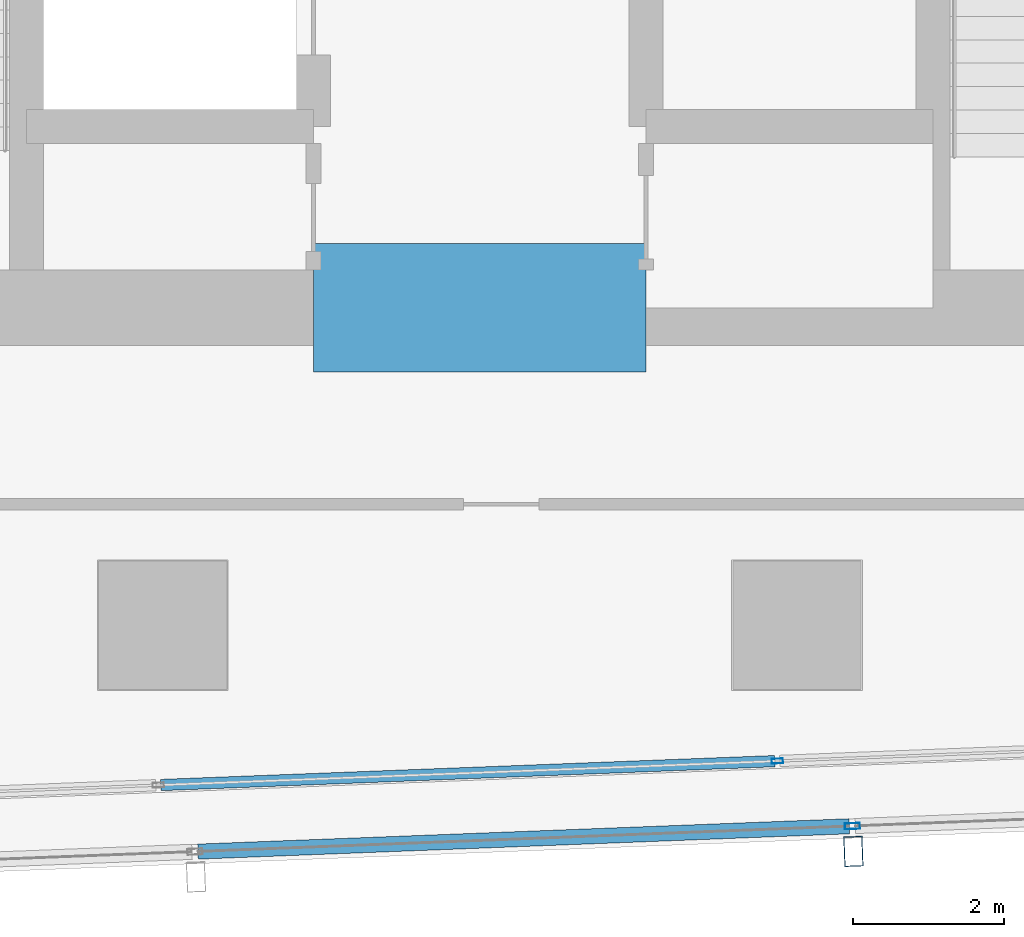
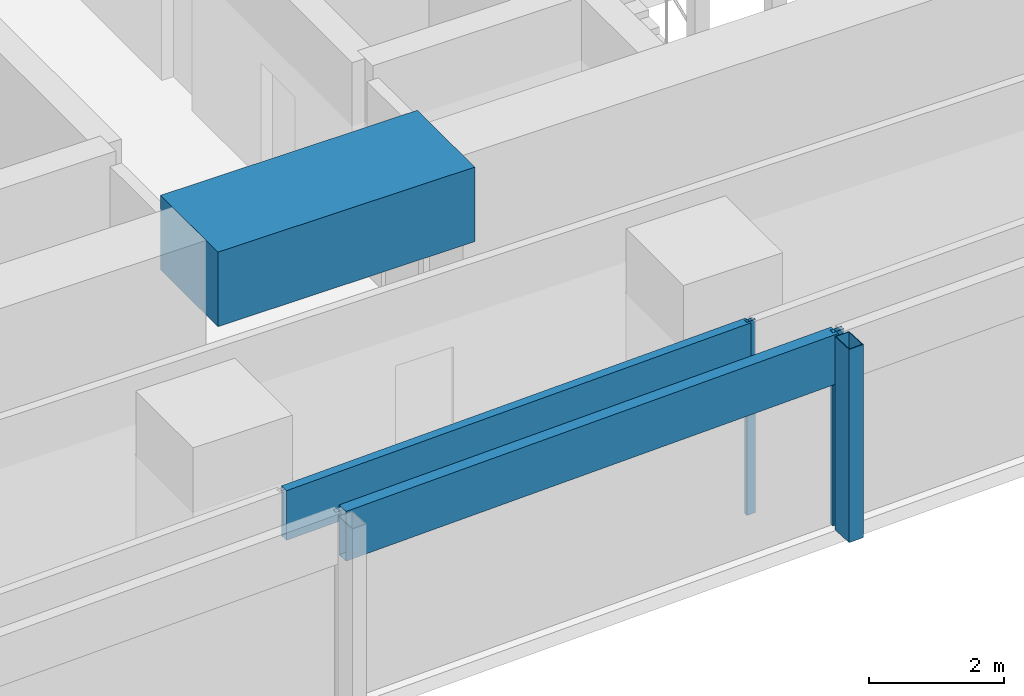
# One storey, part 9 of 40: 5 members, 1 beam, 2 elements without a shape of their own.
"""IFC4 building model written with IfcOpenShell, lengths in metres."""

import ifcopenshell
import ifcopenshell.guid

model = None  # the IFC model being written
_history = None  # IfcOwnerHistory: only IFC2X3 demands one
_inside = {}  # id of a spatial element -> (the spatial element, [elements in it])
_under = {}  # id of a project, library or spatial element -> (it, [spatial elements below it])
_declared = {}  # id of a project -> (the project, [libraries it declares])
_typed = {}  # id of a type object -> (the type object, [elements of that type])
_made_of = {}  # id of a material, layer set ... -> (it, [elements and type objects made of it])


def new_model(schema):
    """Start an empty IFC model of exactly this schema.

    Asked for "IFC4X3", IfcOpenShell would pick the latest addendum, in which some entities
    have other attributes; the version numbers below select the first issue.
    IFC2X3 requires an IfcOwnerHistory on every rooted entity: one is made here for all.
    """
    global model, _history
    if schema == "IFC4X3":
        model = ifcopenshell.file(schema_version=(4, 3, 0, 0))
    else:
        model = ifcopenshell.file(schema=schema)
    _inside.clear()
    _under.clear()
    _declared.clear()
    _typed.clear()
    _made_of.clear()
    _history = None
    if model.schema == "IFC2X3":
        org = make("IfcOrganization", Name="unknown")
        user = make(
            "IfcPersonAndOrganization",
            ThePerson=make("IfcPerson", FamilyName="unknown"),
            TheOrganization=org,
        )
        app = make(
            "IfcApplication",
            ApplicationDeveloper=org,
            Version="unknown",
            ApplicationFullName="unknown",
            ApplicationIdentifier="unknown",
        )
        _history = make(
            "IfcOwnerHistory",
            OwningUser=user,
            OwningApplication=app,
            ChangeAction="ADDED",
            CreationDate=0,
        )
    return model


def make(cls, **values):
    """One entity of the class cls with the attributes given. An attribute that is None is left unset."""
    return model.create_entity(
        cls, **{name: value for name, value in values.items() if value is not None}
    )


def rooted(cls, **values):
    """An entity with a GlobalId (a new one), such as an element, a storey or a relation."""
    return make(cls, GlobalId=ifcopenshell.guid.new(), OwnerHistory=_history, **values)


def si_unit(unit_type, name, prefix=None):
    """IfcSIUnit, for example si_unit("LENGTHUNIT", "METRE", prefix="MILLI")."""
    return make("IfcSIUnit", UnitType=unit_type, Prefix=prefix, Name=name)


def assignment(units):
    """IfcUnitAssignment: the units of a project."""
    return None if units is None else make("IfcUnitAssignment", Units=units)


def point(xyz):
    """IfcCartesianPoint."""
    return None if xyz is None else make("IfcCartesianPoint", Coordinates=xyz)


def direction(xyz):
    """IfcDirection."""
    return None if xyz is None else make("IfcDirection", DirectionRatios=xyz)


def frame(location, z_axis=None, x_axis=None):
    """IfcAxis2Placement3D, a coordinate frame: its origin and axes. An axis left out is left unset."""
    return make(
        "IfcAxis2Placement3D",
        Location=point(location),
        Axis=direction(z_axis),
        RefDirection=direction(x_axis),
    )


def frame_2d(location, x_axis=None):
    """IfcAxis2Placement2D, a coordinate frame in the plane: its origin and x axis."""
    return make(
        "IfcAxis2Placement2D", Location=point(location), RefDirection=direction(x_axis)
    )


def origin():
    """The frame at (0, 0, 0) with its axes left unset."""
    return frame((0.0, 0.0, 0.0))


def origin_2d():
    """The frame at (0, 0) in the plane with its x axis left unset."""
    return frame_2d((0.0, 0.0))


def place(relative_to, where):
    """IfcLocalPlacement: puts the frame where relative to a parent placement (None: the world)."""
    return make(
        "IfcLocalPlacement", PlacementRelTo=relative_to, RelativePlacement=where
    )


def context(
    kind, dimensions, precision=None, world=None, true_north=None, identifier=None
):
    """IfcGeometricRepresentationContext, for example the 3D "Model" context."""
    return make(
        "IfcGeometricRepresentationContext",
        ContextIdentifier=identifier,
        ContextType=kind,
        CoordinateSpaceDimension=dimensions,
        Precision=precision,
        WorldCoordinateSystem=world,
        TrueNorth=true_north,
    )


def subcontext(parent, identifier, kind, view, scale=None):
    """IfcGeometricRepresentationSubContext, for example "Body" below "Model"."""
    return make(
        "IfcGeometricRepresentationSubContext",
        ContextIdentifier=identifier,
        ContextType=kind,
        ParentContext=parent,
        TargetScale=scale,
        TargetView=view,
    )


def project(units=None, contexts=None):
    """IfcProject with its units and contexts."""
    return rooted(
        "IfcProject",
        Name="project",
        RepresentationContexts=contexts,
        UnitsInContext=assignment(units),
    )


def spatial(cls, under=None, at=None, **own):
    """A site, building, storey or space (cls), placed at a placement, below another one or the project."""
    s = rooted(cls, ObjectPlacement=at, **own)
    if under is not None:
        _under.setdefault(under.id(), (under, []))[1].append(s)
    return s


def profile(cls, at=None, kind="AREA", **sizes):
    """A parametric profile (cls). Its sizes go by their IFC names, for example OverallWidth=200.0."""
    return make(cls, ProfileType=kind, Position=at, **sizes)


def rectangle(**sizes):
    """IfcRectangleProfileDef."""
    return profile("IfcRectangleProfileDef", **sizes)


def hollow_rectangle(**sizes):
    """IfcRectangleHollowProfileDef."""
    return profile("IfcRectangleHollowProfileDef", **sizes)


def extrude(swept, where, along, depth):
    """IfcExtrudedAreaSolid: the profile swept, set in the frame where, extruded along a direction by depth."""
    return make(
        "IfcExtrudedAreaSolid",
        SweptArea=swept,
        Position=where,
        ExtrudedDirection=direction(along),
        Depth=depth,
    )


def shape(context_of_items, identifier, shape_type, items):
    """IfcShapeRepresentation: the items that make up one representation, for example the "Body"."""
    return make(
        "IfcShapeRepresentation",
        ContextOfItems=context_of_items,
        RepresentationIdentifier=identifier,
        RepresentationType=shape_type,
        Items=items,
    )


def material(Name=None, Category=None):
    """IfcMaterial."""
    return make("IfcMaterial", Name=Name, Category=Category)


def material_profile(
    of_material, cross_section, Name=None, Category=None, Priority=None
):
    """IfcMaterialProfile: a cross section and its material."""
    return make(
        "IfcMaterialProfile",
        Name=Name,
        Material=of_material,
        Profile=cross_section,
        Priority=Priority,
        Category=Category,
    )


def profile_set(profiles, Name=None, composite=None):
    """IfcMaterialProfileSet."""
    return make(
        "IfcMaterialProfileSet",
        Name=Name,
        MaterialProfiles=profiles,
        CompositeProfile=composite,
    )


def made_of(thing, what):
    """Note that an element or type object is made of a material, layer set ...; save() writes the relation."""
    if what is not None:
        _made_of.setdefault(what.id(), (what, []))[1].append(thing)
    return thing


def type_object(cls, material=None, **own):
    """A type object (cls), such as IfcWallType, which elements share."""
    return made_of(rooted(cls, **own), material)


def element(
    cls,
    number,
    at=None,
    inside=None,
    cuts=None,
    type_object=None,
    material=None,
    context=None,
    identifier="Body",
    shape_type=None,
    held_by="IfcProductDefinitionShape",
    body=None,
    shapes=None,
    **own,
):
    """One element of the class cls, such as IfcWall. Its Tag is "e" and its number.

    at: its placement. inside: the storey or other place that contains it. cuts: it is an
    opening in that element (IfcRelVoidsElement). A single representation is given by context,
    identifier, shape_type and body (its items); several are given by shapes. held_by: the class
    of the entity that holds the representations. save() writes the other relations.
    """
    e = rooted(cls, Tag="e%d" % number, ObjectPlacement=at, **own)
    if body is not None:
        shapes = [shape(context, identifier, shape_type, body)]
    if shapes is not None:
        e.Representation = make(held_by, Representations=shapes)
    if inside is not None:
        _inside.setdefault(inside.id(), (inside, []))[1].append(e)
    if cuts is not None:
        rooted(
            "IfcRelVoidsElement", RelatingBuildingElement=cuts, RelatedOpeningElement=e
        )
    if type_object is not None:
        _typed.setdefault(type_object.id(), (type_object, []))[1].append(e)
    return made_of(e, material)


def aggregate(whole, parts):
    """IfcRelAggregates: a whole, such as a stair, and the parts it consists of."""
    return rooted("IfcRelAggregates", RelatingObject=whole, RelatedObjects=parts)


def save(model, path):
    """Write the relations noted so far, then the file.

    IfcRelAggregates (storeys below a building ...), IfcRelContainedInSpatialStructure (elements
    in a storey), IfcRelDefinesByType, IfcRelAssociatesMaterial and IfcRelDeclares: one each for
    every whole, place, type object, material and project.
    """
    for whole, parts in _under.values():
        aggregate(whole, parts)
    for where, things in _inside.values():
        rooted(
            "IfcRelContainedInSpatialStructure",
            RelatedElements=things,
            RelatingStructure=where,
        )
    for kind, things in _typed.values():
        rooted("IfcRelDefinesByType", RelatedObjects=things, RelatingType=kind)
    for what, things in _made_of.values():
        rooted("IfcRelAssociatesMaterial", RelatedObjects=things, RelatingMaterial=what)
    for by, libraries in _declared.values():
        rooted("IfcRelDeclares", RelatingContext=by, RelatedDefinitions=libraries)
    model.write(path)


model = new_model("IFC4")

# Units and contexts
model_context = context("Model", 3, precision=1e-05, world=origin(), true_north=direction((0.0, 1.0)))
body_context = subcontext(model_context, "Body", "Model", "MODEL_VIEW")
ifc_project = project(units=[si_unit("LENGTHUNIT", "METRE"), si_unit("AREAUNIT", "SQUARE_METRE"), si_unit("VOLUMEUNIT", "CUBIC_METRE"), si_unit("PLANEANGLEUNIT", "RADIAN"), si_unit("MASSUNIT", "GRAM", prefix="KILO")], contexts=[model_context])

# Site, building, storey
site_placement = place(None, origin())
site = spatial("IfcSite", under=ifc_project, at=site_placement, CompositionType="ELEMENT")
building_placement = place(site_placement, origin())
building = spatial("IfcBuilding", under=site, at=building_placement, Name="Rekha Terrace Tower", CompositionType="ELEMENT")
storey_placement = place(building_placement, frame((0.0, 0.0, 110.300048828125)))
storey = spatial("IfcBuildingStorey", under=building, at=storey_placement, Name="L27", CompositionType="ELEMENT", Elevation=110.300048828125)

# Curtain wall, member
ifc_material_1 = material(Name="Aluminium framing", Category="aluminium")
curtain_wall_type_1 = type_object("IfcCurtainWallType", Name="CW2 double skin outer glazing", PredefinedType="USERDEFINED", material=ifc_material_1)
curtain_wall_1_placement = place(storey_placement, origin())
curtain_wall_1 = element("IfcCurtainWall", 1, at=curtain_wall_1_placement, inside=storey, type_object=curtain_wall_type_1, Name="CW2 double skin outer glazing", ObjectType="DOUBLE SKIN OUTER GLAZING", PredefinedType="USERDEFINED")
ifc_material_2 = material(Name="Steel S355 with fluorocarbon finish", Category="steel")
ifc_material_profile_1 = material_profile(ifc_material_2, hollow_rectangle(XDim=0.25, YDim=0.39990234375, WallThickness=0.012451171875, at=origin_2d()), Name="RHS400x250x12.5")
ifc_profile_set_1 = profile_set([ifc_material_profile_1], Name="Steel S355 with fluorocarbon finish")
member_type_1 = type_object("IfcMemberType", Name="BL1 facade blade RHS 400 x 250", PredefinedType="USERDEFINED", material=ifc_profile_set_1)
member_1_placement = place(storey_placement, frame((42.747314453125, 13.802978515625, 0.0), z_axis=(0.0, 0.0, 1.0), x_axis=(0.999243494356, 0.038890088543, 0.0)))
member_1 = element("IfcMember", 2, at=member_1_placement, type_object=member_type_1, Name="Facade blade", ObjectType="FACADE BLADE", PredefinedType="USERDEFINED", context=body_context, shape_type="SweptSolid", body=[
    extrude(hollow_rectangle(XDim=0.25, YDim=0.39990234375, WallThickness=0.012451171875, at=origin_2d()), origin(), (0.0, 0.0, 1.0), 3.5),
])

# Curtain wall, members
curtain_wall_type_2 = type_object("IfcCurtainWallType", Name="CW1 double skin inner glazing", PredefinedType="USERDEFINED", material=ifc_material_1)
curtain_wall_2_placement = place(storey_placement, origin())
curtain_wall_2 = element("IfcCurtainWall", 3, at=curtain_wall_2_placement, inside=storey, type_object=curtain_wall_type_2, Name="CW1 double skin inner glazing", ObjectType="DOUBLE SKIN INNER GLAZING", PredefinedType="USERDEFINED")
ifc_material_3 = material(Name="Aluminium mullion section", Category="aluminium")
ifc_material_profile_2 = material_profile(ifc_material_3, hollow_rectangle(XDim=0.06494140625, YDim=0.14990234375, WallThickness=0.00390625, at=origin_2d()), Name="AL RHS 65x150")
ifc_profile_set_2 = profile_set([ifc_material_profile_2], Name="Aluminium mullion section")
member_type_2 = type_object("IfcMemberType", Name="CW1 mullion RHS 65 x 150", PredefinedType="MULLION", material=ifc_profile_set_2)
member_2_placement = place(storey_placement, frame((41.740234375, 14.999755859375, 0.0), z_axis=(0.0, 0.0, 1.0), x_axis=(-0.038889971345, 0.999243498917, 0.0)))
member_2 = element("IfcMember", 4, at=member_2_placement, type_object=member_type_2, Name="CW1 mullion 3", PredefinedType="MULLION", context=body_context, shape_type="SweptSolid", body=[
    extrude(hollow_rectangle(XDim=0.06494140625, YDim=0.14990234375, WallThickness=0.00390625, at=origin_2d()), origin(), (0.0, 0.0, 1.0), 3.5),
])
ifc_material_4 = material(Name="Insulated aluminium spandrel box", Category="aluminium")
ifc_material_profile_3 = material_profile(ifc_material_4, hollow_rectangle(XDim=0.14990234375, YDim=0.89990234375, WallThickness=0.0029296875, at=origin_2d()), Name="AL SPANDREL BOX 150x900")
ifc_profile_set_3 = profile_set([ifc_material_profile_3], Name="Insulated aluminium spandrel box")
member_type_3 = type_object("IfcMemberType", Name="CW1 spandrel transom 150 x 900", PredefinedType="USERDEFINED", material=ifc_profile_set_3)
member_3_placement = place(storey_placement, frame((33.576416015625, 14.68212890625, 3.050048828125), z_axis=(0.999243790362, 0.038882482205, 0.0), x_axis=(-0.038882482205, 0.999243790362, 0.0)))
member_3 = element("IfcMember", 5, at=member_3_placement, type_object=member_type_3, Name="CW1 spandrel transom 2", ObjectType="TRANSOM", PredefinedType="USERDEFINED", context=body_context, shape_type="SweptSolid", body=[
    extrude(hollow_rectangle(XDim=0.14990234375, YDim=0.89990234375, WallThickness=0.0029296875, at=origin_2d()), origin(), (0.0, 0.0, 1.0), 8.137451171875),
])
aggregate(curtain_wall_2, [member_2, member_3])

# Member
ifc_material_profile_4 = material_profile(ifc_material_3, hollow_rectangle(XDim=0.080078125, YDim=0.199951171875, WallThickness=0.00390625, at=origin_2d()), Name="AL RHS 80x200")
ifc_profile_set_4 = profile_set([ifc_material_profile_4], Name="Aluminium mullion section")
member_type_4 = type_object("IfcMemberType", Name="CW2 mullion RHS 80 x 200", PredefinedType="MULLION", material=ifc_profile_set_4)
member_4_placement = place(storey_placement, frame((42.734130859375, 14.137939453125, 0.0), z_axis=(0.0, 0.0, 1.0), x_axis=(-0.038889971345, 0.999243498917, 0.0)))
member_4 = element("IfcMember", 6, at=member_4_placement, type_object=member_type_4, Name="CW2 mullion 3", PredefinedType="MULLION", context=body_context, shape_type="SweptSolid", body=[
    extrude(hollow_rectangle(XDim=0.080078125, YDim=0.199951171875, WallThickness=0.00390625, at=origin_2d()), origin(), (0.0, 0.0, 1.0), 3.5),
])

ifc_material_profile_5 = material_profile(ifc_material_4, hollow_rectangle(XDim=0.199951171875, YDim=0.89990234375, WallThickness=0.0029296875, at=origin_2d()), Name="AL SPANDREL BOX 200x900")
ifc_profile_set_5 = profile_set([ifc_material_profile_5], Name="Insulated aluminium spandrel box")
member_type_5 = type_object("IfcMemberType", Name="CW2 spandrel transom 200 x 900", PredefinedType="USERDEFINED", material=ifc_profile_set_5)
member_5_placement = place(storey_placement, frame((34.069091796875, 13.800537109375, 3.050048828125), z_axis=(0.999243438523, 0.038891523097, 0.0), x_axis=(-0.038891523097, 0.999243438523, 0.0)))
member_5 = element("IfcMember", 7, at=member_5_placement, type_object=member_type_5, Name="CW2 spandrel transom 2", ObjectType="TRANSOM", PredefinedType="USERDEFINED", context=body_context, shape_type="SweptSolid", body=[
    extrude(hollow_rectangle(XDim=0.199951171875, YDim=0.89990234375, WallThickness=0.0029296875, at=origin_2d()), origin(), (0.0, 0.0, 1.0), 8.631591796875),
])

aggregate(curtain_wall_1, [member_4, member_5, member_1])

# Beam
ifc_material_5 = material(Name="Concrete M70", Category="concrete")
ifc_material_profile_6 = material_profile(ifc_material_5, rectangle(XDim=1.699951171875, YDim=1.35009765625, at=origin_2d()), Name="RC 1700x1350")
ifc_profile_set_6 = profile_set([ifc_material_profile_6], Name="Concrete M70")
beam_type = type_object("IfcBeamType", Name="LB2A 1700x1350 diagonally reinforced coupling beam", PredefinedType="LINTEL", material=ifc_profile_set_6)
beam_placement = place(storey_placement, frame((35.60009765625, 21.0, 3.074951171875), z_axis=(1.0, 0.0, 0.0), x_axis=(0.0, 1.0, 0.0)))
element("IfcBeam", 8, at=beam_placement, inside=storey, type_object=beam_type, Name="Coupling beam LB2A S L27", PredefinedType="LINTEL", context=body_context, shape_type="SweptSolid", body=[
    extrude(rectangle(XDim=1.699951171875, YDim=1.35009765625, at=origin_2d()), origin(), (0.0, 0.0, 1.0), 4.39990234375),
])

save(model, "model.ifc")
